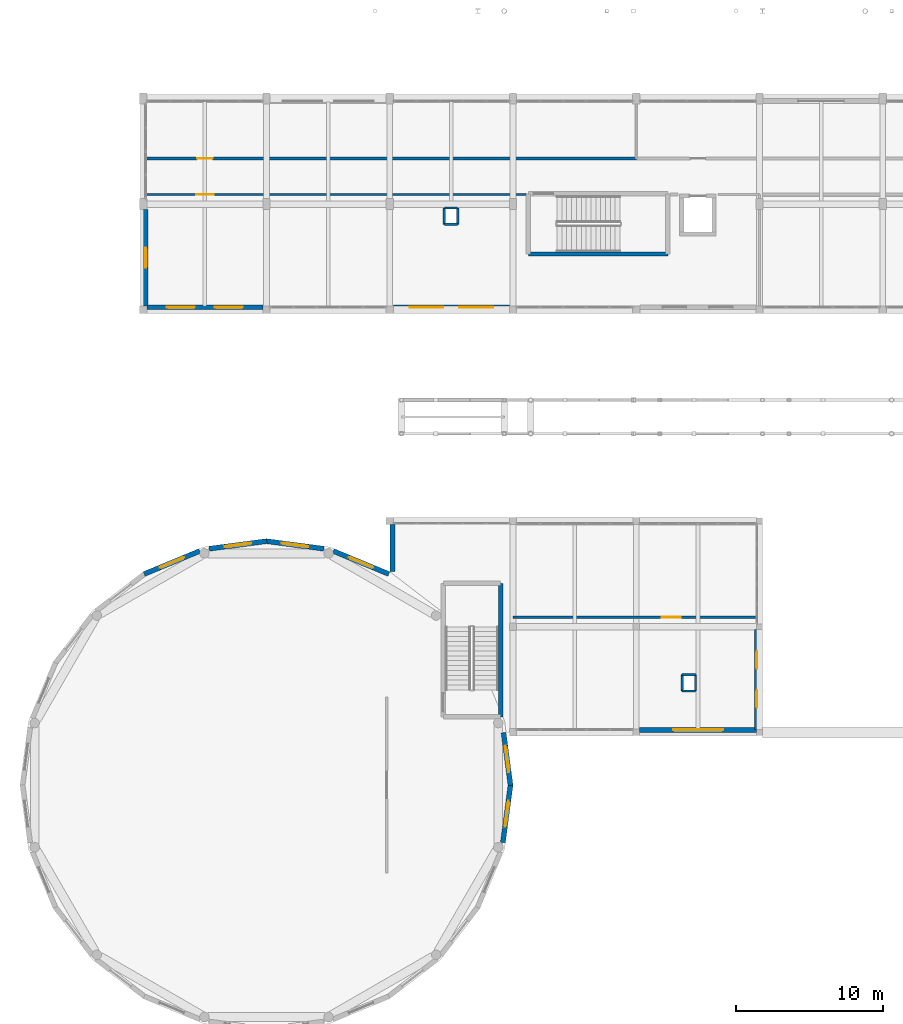
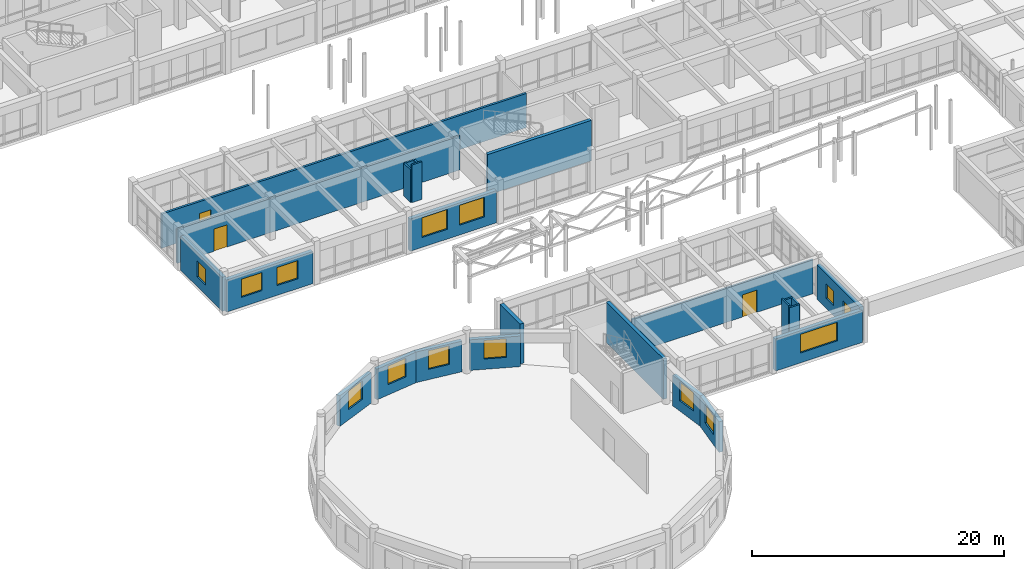
# One storey, part 125 of 147: 25 walls, 14 windows, 3 doors, 17 openings.
"""IFC4 building model written with IfcOpenShell, lengths in metres."""

import ifcopenshell
import ifcopenshell.guid

model = None  # the IFC model being written
_history = None  # IfcOwnerHistory: only IFC2X3 demands one
_inside = {}  # id of a spatial element -> (the spatial element, [elements in it])
_under = {}  # id of a project, library or spatial element -> (it, [spatial elements below it])
_declared = {}  # id of a project -> (the project, [libraries it declares])
_typed = {}  # id of a type object -> (the type object, [elements of that type])
_made_of = {}  # id of a material, layer set ... -> (it, [elements and type objects made of it])


def new_model(schema):
    """Start an empty IFC model of exactly this schema.

    Asked for "IFC4X3", IfcOpenShell would pick the latest addendum, in which some entities
    have other attributes; the version numbers below select the first issue.
    IFC2X3 requires an IfcOwnerHistory on every rooted entity: one is made here for all.
    """
    global model, _history
    if schema == "IFC4X3":
        model = ifcopenshell.file(schema_version=(4, 3, 0, 0))
    else:
        model = ifcopenshell.file(schema=schema)
    _inside.clear()
    _under.clear()
    _declared.clear()
    _typed.clear()
    _made_of.clear()
    _history = None
    if model.schema == "IFC2X3":
        org = make("IfcOrganization", Name="unknown")
        user = make(
            "IfcPersonAndOrganization",
            ThePerson=make("IfcPerson", FamilyName="unknown"),
            TheOrganization=org,
        )
        app = make(
            "IfcApplication",
            ApplicationDeveloper=org,
            Version="unknown",
            ApplicationFullName="unknown",
            ApplicationIdentifier="unknown",
        )
        _history = make(
            "IfcOwnerHistory",
            OwningUser=user,
            OwningApplication=app,
            ChangeAction="ADDED",
            CreationDate=0,
        )
    return model


def make(cls, **values):
    """One entity of the class cls with the attributes given. An attribute that is None is left unset."""
    return model.create_entity(
        cls, **{name: value for name, value in values.items() if value is not None}
    )


def rooted(cls, **values):
    """An entity with a GlobalId (a new one), such as an element, a storey or a relation."""
    return make(cls, GlobalId=ifcopenshell.guid.new(), OwnerHistory=_history, **values)


def si_unit(unit_type, name, prefix=None):
    """IfcSIUnit, for example si_unit("LENGTHUNIT", "METRE", prefix="MILLI")."""
    return make("IfcSIUnit", UnitType=unit_type, Prefix=prefix, Name=name)


def assignment(units):
    """IfcUnitAssignment: the units of a project."""
    return None if units is None else make("IfcUnitAssignment", Units=units)


def point(xyz):
    """IfcCartesianPoint."""
    return None if xyz is None else make("IfcCartesianPoint", Coordinates=xyz)


def direction(xyz):
    """IfcDirection."""
    return None if xyz is None else make("IfcDirection", DirectionRatios=xyz)


def frame(location, z_axis=None, x_axis=None):
    """IfcAxis2Placement3D, a coordinate frame: its origin and axes. An axis left out is left unset."""
    return make(
        "IfcAxis2Placement3D",
        Location=point(location),
        Axis=direction(z_axis),
        RefDirection=direction(x_axis),
    )


def frame_2d(location, x_axis=None):
    """IfcAxis2Placement2D, a coordinate frame in the plane: its origin and x axis."""
    return make(
        "IfcAxis2Placement2D", Location=point(location), RefDirection=direction(x_axis)
    )


def origin():
    """The frame at (0, 0, 0) with its axes left unset."""
    return frame((0.0, 0.0, 0.0))


def place(relative_to, where):
    """IfcLocalPlacement: puts the frame where relative to a parent placement (None: the world)."""
    return make(
        "IfcLocalPlacement", PlacementRelTo=relative_to, RelativePlacement=where
    )


def context(
    kind, dimensions, precision=None, world=None, true_north=None, identifier=None
):
    """IfcGeometricRepresentationContext, for example the 3D "Model" context."""
    return make(
        "IfcGeometricRepresentationContext",
        ContextIdentifier=identifier,
        ContextType=kind,
        CoordinateSpaceDimension=dimensions,
        Precision=precision,
        WorldCoordinateSystem=world,
        TrueNorth=true_north,
    )


def subcontext(parent, identifier, kind, view, scale=None):
    """IfcGeometricRepresentationSubContext, for example "Body" below "Model"."""
    return make(
        "IfcGeometricRepresentationSubContext",
        ContextIdentifier=identifier,
        ContextType=kind,
        ParentContext=parent,
        TargetScale=scale,
        TargetView=view,
    )


def project(units=None, contexts=None):
    """IfcProject with its units and contexts."""
    return rooted(
        "IfcProject",
        Name="project",
        RepresentationContexts=contexts,
        UnitsInContext=assignment(units),
    )


def spatial(cls, under=None, at=None, **own):
    """A site, building, storey or space (cls), placed at a placement, below another one or the project."""
    s = rooted(cls, ObjectPlacement=at, **own)
    if under is not None:
        _under.setdefault(under.id(), (under, []))[1].append(s)
    return s


def profile(cls, at=None, kind="AREA", **sizes):
    """A parametric profile (cls). Its sizes go by their IFC names, for example OverallWidth=200.0."""
    return make(cls, ProfileType=kind, Position=at, **sizes)


def rectangle(**sizes):
    """IfcRectangleProfileDef."""
    return profile("IfcRectangleProfileDef", **sizes)


def extrude(swept, where, along, depth):
    """IfcExtrudedAreaSolid: the profile swept, set in the frame where, extruded along a direction by depth."""
    return make(
        "IfcExtrudedAreaSolid",
        SweptArea=swept,
        Position=where,
        ExtrudedDirection=direction(along),
        Depth=depth,
    )


def shape(context_of_items, identifier, shape_type, items):
    """IfcShapeRepresentation: the items that make up one representation, for example the "Body"."""
    return make(
        "IfcShapeRepresentation",
        ContextOfItems=context_of_items,
        RepresentationIdentifier=identifier,
        RepresentationType=shape_type,
        Items=items,
    )


def material(Name=None, Category=None):
    """IfcMaterial."""
    return make("IfcMaterial", Name=Name, Category=Category)


def layer(
    of_material, thickness, ventilated=None, Name=None, Category=None, Priority=None
):
    """IfcMaterialLayer: one layer of a wall or slab, of a material (None: an air gap)."""
    return make(
        "IfcMaterialLayer",
        Material=of_material,
        LayerThickness=thickness,
        IsVentilated=ventilated,
        Name=Name,
        Category=Category,
        Priority=Priority,
    )


def layer_set(layers, Name=None):
    """IfcMaterialLayerSet."""
    return make("IfcMaterialLayerSet", MaterialLayers=layers, LayerSetName=Name)


def made_of(thing, what):
    """Note that an element or type object is made of a material, layer set ...; save() writes the relation."""
    if what is not None:
        _made_of.setdefault(what.id(), (what, []))[1].append(thing)
    return thing


def type_object(cls, material=None, **own):
    """A type object (cls), such as IfcWallType, which elements share."""
    return made_of(rooted(cls, **own), material)


def element(
    cls,
    number,
    at=None,
    inside=None,
    cuts=None,
    type_object=None,
    material=None,
    context=None,
    identifier="Body",
    shape_type=None,
    held_by="IfcProductDefinitionShape",
    body=None,
    shapes=None,
    **own,
):
    """One element of the class cls, such as IfcWall. Its Tag is "e" and its number.

    at: its placement. inside: the storey or other place that contains it. cuts: it is an
    opening in that element (IfcRelVoidsElement). A single representation is given by context,
    identifier, shape_type and body (its items); several are given by shapes. held_by: the class
    of the entity that holds the representations. save() writes the other relations.
    """
    e = rooted(cls, Tag="e%d" % number, ObjectPlacement=at, **own)
    if body is not None:
        shapes = [shape(context, identifier, shape_type, body)]
    if shapes is not None:
        e.Representation = make(held_by, Representations=shapes)
    if inside is not None:
        _inside.setdefault(inside.id(), (inside, []))[1].append(e)
    if cuts is not None:
        rooted(
            "IfcRelVoidsElement", RelatingBuildingElement=cuts, RelatedOpeningElement=e
        )
    if type_object is not None:
        _typed.setdefault(type_object.id(), (type_object, []))[1].append(e)
    return made_of(e, material)


def fill(opening, filler):
    """IfcRelFillsElement: the door or window that sits in an opening."""
    return rooted(
        "IfcRelFillsElement",
        RelatingOpeningElement=opening,
        RelatedBuildingElement=filler,
    )


def aggregate(whole, parts):
    """IfcRelAggregates: a whole, such as a stair, and the parts it consists of."""
    return rooted("IfcRelAggregates", RelatingObject=whole, RelatedObjects=parts)


def save(model, path):
    """Write the relations noted so far, then the file.

    IfcRelAggregates (storeys below a building ...), IfcRelContainedInSpatialStructure (elements
    in a storey), IfcRelDefinesByType, IfcRelAssociatesMaterial and IfcRelDeclares: one each for
    every whole, place, type object, material and project.
    """
    for whole, parts in _under.values():
        aggregate(whole, parts)
    for where, things in _inside.values():
        rooted(
            "IfcRelContainedInSpatialStructure",
            RelatedElements=things,
            RelatingStructure=where,
        )
    for kind, things in _typed.values():
        rooted("IfcRelDefinesByType", RelatedObjects=things, RelatingType=kind)
    for what, things in _made_of.values():
        rooted("IfcRelAssociatesMaterial", RelatedObjects=things, RelatingMaterial=what)
    for by, libraries in _declared.values():
        rooted("IfcRelDeclares", RelatingContext=by, RelatedDefinitions=libraries)
    model.write(path)


model = new_model("IFC4")

# Units and contexts
model_context = context("Model", 3, precision=1e-05, world=origin(), true_north=direction((0.0, 1.0)))
body_context = subcontext(model_context, "Body", "Model", "MODEL_VIEW")
ifc_project = project(units=[si_unit("LENGTHUNIT", "METRE"), si_unit("AREAUNIT", "SQUARE_METRE"), si_unit("VOLUMEUNIT", "CUBIC_METRE"), si_unit("PLANEANGLEUNIT", "RADIAN"), si_unit("MASSUNIT", "GRAM", prefix="KILO")], contexts=[model_context])

# Site, building, storey
site_placement = place(None, origin())
site = spatial("IfcSite", under=ifc_project, at=site_placement, CompositionType="ELEMENT")
building_placement = place(site_placement, origin())
building = spatial("IfcBuilding", under=site, at=building_placement, Name="Malvenik Polytechnic", CompositionType="ELEMENT")
storey_placement = place(building_placement, frame((0.0, 0.0, 5.10009765625)))
storey = spatial("IfcBuildingStorey", under=building, at=storey_placement, Name="L01", CompositionType="ELEMENT", Elevation=5.10009765625)

# Walls
ifc_material_1 = material(Name="Concrete C35/45", Category="concrete")
ifc_layer_1 = layer(ifc_material_1, 0.300048828125)
ifc_layer_set_1 = layer_set([ifc_layer_1], Name="Concrete C35/45")
wall_type_1 = type_object("IfcWallType", Name="ARC-CW-S300", PredefinedType="SHEAR", material=ifc_layer_set_1)
wall_1_placement = place(storey_placement, frame((44.14990234375, 54.199951171875, 0.0), z_axis=(0.0, 0.0, 1.0), x_axis=(-1.0, 0.0, 0.0)))
element("IfcWall", 1, at=wall_1_placement, inside=storey, type_object=wall_type_1, Name="Stair Core Shear Wall ST-06 L01 LEFT", PredefinedType="SHEAR", context=body_context, shape_type="SweptSolid", body=[
    extrude(rectangle(XDim=9.5, YDim=0.300048828125, at=frame_2d((4.75, 0.0))), origin(), (0.0, 0.0, 1.0), 3.919921875),
])
wall_2_placement = place(storey_placement, frame((32.75, 31.75, 0.0), z_axis=(0.0, 0.0, 1.0), x_axis=(0.0, -1.0, 0.0)))
element("IfcWall", 2, at=wall_2_placement, inside=storey, type_object=wall_type_1, Name="Stair Core Shear Wall ST-09 L01 LEFT", PredefinedType="SHEAR", context=body_context, shape_type="SweptSolid", body=[
    extrude(rectangle(XDim=9.10009765625, YDim=0.300048828125, at=frame_2d((4.550048828125, 0.0))), origin(), (0.0, 0.0, 1.0), 3.919921875),
])

# Wall, openings, windows
ifc_material_2 = material(Name="Concrete C30/37", Category="concrete")
ifc_layer_2 = layer(ifc_material_2, 0.340087890625)
ifc_layer_set_2 = layer_set([ifc_layer_2], Name="Concrete C30/37")
wall_type_2 = type_object("IfcWallType", Name="ARC-EW-340", PredefinedType="SOLIDWALL", material=ifc_layer_set_2)
wall_3_placement = place(storey_placement, frame((33.35205078125, 50.570068359375, 0.0), z_axis=(0.0, 0.0, 1.0), x_axis=(-1.0, 0.0, 0.0)))
wall_3 = element("IfcWall", 3, at=wall_3_placement, inside=storey, type_object=wall_type_2, Name="External Facade Wall EW-02 L01 #240", PredefinedType="SOLIDWALL", context=body_context, shape_type="SweptSolid", body=[
    extrude(rectangle(XDim=7.904052734375, YDim=0.340087890625, at=frame_2d((3.9521484375, 0.0))), origin(), (0.0, 0.0, 1.0), 3.10986328125),
])
opening_1_placement = place(wall_3_placement, frame((1.101318359375, 0.0, 0.949951171875)))
opening_1 = element("IfcOpeningElement", 4, at=opening_1_placement, cuts=wall_3, Name="Opening W-22", PredefinedType="OPENING", context=body_context, shape_type="SweptSolid", body=[
    extrude(rectangle(XDim=2.300048828125, YDim=1.909912109375, at=frame_2d((1.14990234375, 0.955078125))), frame((0.0, 0.18017578125, 0.0), z_axis=(0.0, -1.0, 0.0), x_axis=(1.0, 0.0, 0.0)), (0.0, 0.0, 1.0), 0.360107421875),
])
opening_2_placement = place(wall_3_placement, frame((4.502685546875, 0.0, 0.949951171875)))
opening_2 = element("IfcOpeningElement", 5, at=opening_2_placement, cuts=wall_3, Name="Opening W-22", PredefinedType="OPENING", context=body_context, shape_type="SweptSolid", body=[
    extrude(rectangle(XDim=2.300048828125, YDim=1.909912109375, at=frame_2d((1.14990234375, 0.955078125))), frame((0.0, 0.18017578125, 0.0), z_axis=(0.0, -1.0, 0.0), x_axis=(1.0, 0.0, 0.0)), (0.0, 0.0, 1.0), 0.360107421875),
])
ifc_material_3 = material(Name="Thermally broken aluminium frame with low-E double glazing", Category="aluminium")
window_type_1 = type_object("IfcWindowType", Name="ARC-WIN-W-22", PartitioningType="SINGLE_PANEL", PredefinedType="WINDOW", material=ifc_material_3)
window_1_placement = place(opening_1_placement, origin())
window_1 = element("IfcWindow", 6, at=window_1_placement, inside=storey, type_object=window_type_1, Name="Punched Window W-22 L01 #203", OverallHeight=1.909912109375, OverallWidth=2.300048828125, PartitioningType="SINGLE_PANEL", PredefinedType="WINDOW", context=body_context, shape_type="SweptSolid", body=[
    extrude(rectangle(XDim=2.300048828125, YDim=1.909912109375, at=frame_2d((1.14990234375, 0.955078125))), frame((0.0, 0.030029296875, 0.0), z_axis=(0.0, -1.0, 0.0), x_axis=(1.0, 0.0, 0.0)), (0.0, 0.0, 1.0), 0.06005859375),
])
fill(opening_1, window_1)
window_2_placement = place(opening_2_placement, origin())
window_2 = element("IfcWindow", 7, at=window_2_placement, inside=storey, type_object=window_type_1, Name="Punched Window W-22 L01 #204", OverallHeight=1.909912109375, OverallWidth=2.300048828125, PartitioningType="SINGLE_PANEL", PredefinedType="WINDOW", context=body_context, shape_type="SweptSolid", body=[
    extrude(rectangle(XDim=2.300048828125, YDim=1.909912109375, at=frame_2d((1.14990234375, 0.955078125))), frame((0.0, 0.030029296875, 0.0), z_axis=(0.0, -1.0, 0.0), x_axis=(1.0, 0.0, 0.0)), (0.0, 0.0, 1.0), 0.06005859375),
])
fill(opening_2, window_2)

wall_4_placement = place(storey_placement, frame((16.552001953125, 50.570068359375, 0.0), z_axis=(0.0, 0.0, 1.0), x_axis=(-1.0, 0.0, 0.0)))
wall_4 = element("IfcWall", 8, at=wall_4_placement, inside=storey, type_object=wall_type_2, Name="External Facade Wall EW-02 L01 #241", PredefinedType="SOLIDWALL", context=body_context, shape_type="SweptSolid", body=[
    extrude(rectangle(XDim=7.904052734375, YDim=0.340087890625, at=frame_2d((3.9521484375, 0.0))), origin(), (0.0, 0.0, 1.0), 3.10986328125),
])
opening_3_placement = place(wall_4_placement, frame((1.367919921875, 0.0, 0.949951171875)))
opening_3 = element("IfcOpeningElement", 9, at=opening_3_placement, cuts=wall_4, Name="Opening W-24", PredefinedType="OPENING", context=body_context, shape_type="SweptSolid", body=[
    extrude(rectangle(XDim=1.89990234375, YDim=1.75, at=frame_2d((0.949951171875, 0.875))), frame((0.0, 0.18017578125, 0.0), z_axis=(0.0, -1.0, 0.0), x_axis=(1.0, 0.0, 0.0)), (0.0, 0.0, 1.0), 0.360107421875),
])
opening_4_placement = place(wall_4_placement, frame((4.635986328125, 0.0, 0.949951171875)))
opening_4 = element("IfcOpeningElement", 10, at=opening_4_placement, cuts=wall_4, Name="Opening W-24", PredefinedType="OPENING", context=body_context, shape_type="SweptSolid", body=[
    extrude(rectangle(XDim=1.89990234375, YDim=1.75, at=frame_2d((0.949951171875, 0.875))), frame((0.0, 0.18017578125, 0.0), z_axis=(0.0, -1.0, 0.0), x_axis=(1.0, 0.0, 0.0)), (0.0, 0.0, 1.0), 0.360107421875),
])
window_type_2 = type_object("IfcWindowType", Name="ARC-WIN-W-24", PartitioningType="SINGLE_PANEL", PredefinedType="WINDOW", material=ifc_material_3)
window_3_placement = place(opening_3_placement, origin())
window_3 = element("IfcWindow", 11, at=window_3_placement, inside=storey, type_object=window_type_2, Name="Punched Window W-24 L01 #205", OverallHeight=1.75, OverallWidth=1.89990234375, PartitioningType="SINGLE_PANEL", PredefinedType="WINDOW", context=body_context, shape_type="SweptSolid", body=[
    extrude(rectangle(XDim=1.89990234375, YDim=1.75, at=frame_2d((0.949951171875, 0.875))), frame((0.0, 0.030029296875, 0.0), z_axis=(0.0, -1.0, 0.0), x_axis=(1.0, 0.0, 0.0)), (0.0, 0.0, 1.0), 0.06005859375),
])
fill(opening_3, window_3)
window_4_placement = place(opening_4_placement, origin())
window_4 = element("IfcWindow", 12, at=window_4_placement, inside=storey, type_object=window_type_2, Name="Punched Window W-24 L01 #206", OverallHeight=1.75, OverallWidth=1.89990234375, PartitioningType="SINGLE_PANEL", PredefinedType="WINDOW", context=body_context, shape_type="SweptSolid", body=[
    extrude(rectangle(XDim=1.89990234375, YDim=1.75, at=frame_2d((0.949951171875, 0.875))), frame((0.0, 0.030029296875, 0.0), z_axis=(0.0, -1.0, 0.0), x_axis=(1.0, 0.0, 0.0)), (0.0, 0.0, 1.0), 0.06005859375),
])
fill(opening_4, window_4)

# Wall, opening, window
wall_5_placement = place(storey_placement, frame((8.570068359375, 50.64794921875, 0.0), z_axis=(0.0, 0.0, 1.0), x_axis=(0.0, 1.0, 0.0)))
wall_5 = element("IfcWall", 13, at=wall_5_placement, inside=storey, type_object=wall_type_2, Name="External Facade Wall EW-02 L01 #242", PredefinedType="SOLIDWALL", context=body_context, shape_type="SweptSolid", body=[
    extrude(rectangle(XDim=6.5791015625, YDim=0.340087890625, at=frame_2d((3.28955078125, 0.0))), origin(), (0.0, 0.0, 1.0), 3.309814453125),
])
opening_5_placement = place(wall_5_placement, frame((2.614501953125, 0.0, 0.949951171875)))
opening_5 = element("IfcOpeningElement", 14, at=opening_5_placement, cuts=wall_5, Name="Opening W-26", PredefinedType="OPENING", context=body_context, shape_type="SweptSolid", body=[
    extrude(rectangle(XDim=1.35009765625, YDim=1.550048828125, at=frame_2d((0.675048828125, 0.77490234375))), frame((0.0, 0.18017578125, 0.0), z_axis=(0.0, -1.0, 0.0), x_axis=(1.0, 0.0, 0.0)), (0.0, 0.0, 1.0), 0.360107421875),
])
window_type_3 = type_object("IfcWindowType", Name="ARC-WIN-W-26", PartitioningType="SINGLE_PANEL", PredefinedType="WINDOW", material=ifc_material_3)
window_5_placement = place(opening_5_placement, origin())
window_5 = element("IfcWindow", 15, at=window_5_placement, inside=storey, type_object=window_type_3, Name="Punched Window W-26 L01 #207", OverallHeight=1.550048828125, OverallWidth=1.35009765625, PartitioningType="SINGLE_PANEL", PredefinedType="WINDOW", context=body_context, shape_type="SweptSolid", body=[
    extrude(rectangle(XDim=1.35009765625, YDim=1.550048828125, at=frame_2d((0.675048828125, 0.77490234375))), frame((0.0, 0.030029296875, 0.0), z_axis=(0.0, -1.0, 0.0), x_axis=(1.0, 0.0, 0.0)), (0.0, 0.0, 1.0), 0.06005859375),
])
fill(opening_5, window_5)

wall_6_placement = place(storey_placement, frame((8.465087890625, 32.39208984375, 0.0), z_axis=(0.0, 0.0, 1.0), x_axis=(0.923864101576, 0.382720683815, 0.0)))
wall_6 = element("IfcWall", 16, at=wall_6_placement, inside=storey, type_object=wall_type_2, Name="External Facade Wall EW-02 L01 #259", PredefinedType="SOLIDWALL", context=body_context, shape_type="SweptSolid", body=[
    extrude(rectangle(XDim=4.091552734375, YDim=0.340087890625, at=frame_2d((2.0458984375, 0.0))), origin(), (0.0, 0.0, 1.0), 2.9599609375),
])
opening_6_placement = place(wall_6_placement, frame((1.145751953125, 0.0, 1.0)))
opening_6 = element("IfcOpeningElement", 17, at=opening_6_placement, cuts=wall_6, Name="Opening W-OC1", PredefinedType="OPENING", context=body_context, shape_type="SweptSolid", body=[
    extrude(rectangle(XDim=1.800048828125, YDim=1.800048828125, at=frame_2d((0.89990234375, 0.89990234375))), frame((0.0, 0.18017578125, 0.0), z_axis=(0.0, -1.0, 0.0), x_axis=(1.0, 0.0, 0.0)), (0.0, 0.0, 1.0), 0.360107421875),
])
window_type_4 = type_object("IfcWindowType", Name="ARC-WIN-W-OC1", PartitioningType="SINGLE_PANEL", PredefinedType="WINDOW", material=ifc_material_3)
window_6_placement = place(opening_6_placement, origin())
window_6 = element("IfcWindow", 18, at=window_6_placement, inside=storey, type_object=window_type_4, Name="Rotunda Ocular Window W-OC1 L01 #225", OverallHeight=1.800048828125, OverallWidth=1.800048828125, PartitioningType="SINGLE_PANEL", PredefinedType="WINDOW", context=body_context, shape_type="SweptSolid", body=[
    extrude(rectangle(XDim=1.800048828125, YDim=1.800048828125, at=frame_2d((0.89990234375, 0.89990234375))), frame((0.0, 0.030029296875, 0.0), z_axis=(0.0, -1.0, 0.0), x_axis=(1.0, 0.0, 0.0)), (0.0, 0.0, 1.0), 0.06005859375),
])
fill(opening_6, window_6)

wall_7_placement = place(storey_placement, frame((12.89111328125, 34.114013671875, 0.0), z_axis=(0.0, 0.0, 1.0), x_axis=(0.991443813666, 0.130534150104, 0.0)))
wall_7 = element("IfcWall", 19, at=wall_7_placement, inside=storey, type_object=wall_type_2, Name="External Facade Wall EW-02 L01 #260", PredefinedType="SOLIDWALL", context=body_context, shape_type="SweptSolid", body=[
    extrude(rectangle(XDim=3.965087890625, YDim=0.340087890625, at=frame_2d((1.982421875, 0.0))), origin(), (0.0, 0.0, 1.0), 2.9599609375),
])
opening_7_placement = place(wall_7_placement, frame((1.08251953125, 0.0, 1.0)))
opening_7 = element("IfcOpeningElement", 20, at=opening_7_placement, cuts=wall_7, Name="Opening W-OC1", PredefinedType="OPENING", context=body_context, shape_type="SweptSolid", body=[
    extrude(rectangle(XDim=1.800048828125, YDim=1.800048828125, at=frame_2d((0.89990234375, 0.89990234375))), frame((0.0, 0.18017578125, 0.0), z_axis=(0.0, -1.0, 0.0), x_axis=(1.0, 0.0, 0.0)), (0.0, 0.0, 1.0), 0.360107421875),
])
window_7_placement = place(opening_7_placement, origin())
window_7 = element("IfcWindow", 21, at=window_7_placement, inside=storey, type_object=window_type_4, Name="Rotunda Ocular Window W-OC1 L01 #226", OverallHeight=1.800048828125, OverallWidth=1.800048828125, PartitioningType="SINGLE_PANEL", PredefinedType="WINDOW", context=body_context, shape_type="SweptSolid", body=[
    extrude(rectangle(XDim=1.800048828125, YDim=1.800048828125, at=frame_2d((0.89990234375, 0.89990234375))), frame((0.0, 0.030029296875, 0.0), z_axis=(0.0, -1.0, 0.0), x_axis=(1.0, 0.0, 0.0)), (0.0, 0.0, 1.0), 0.06005859375),
])
fill(opening_7, window_7)

wall_8_placement = place(storey_placement, frame((16.77783203125, 34.631591796875, 0.0), z_axis=(0.0, 0.0, 1.0), x_axis=(0.991443813666, -0.130534150104, 0.0)))
wall_8 = element("IfcWall", 22, at=wall_8_placement, inside=storey, type_object=wall_type_2, Name="External Facade Wall EW-02 L01 #261", PredefinedType="SOLIDWALL", context=body_context, shape_type="SweptSolid", body=[
    extrude(rectangle(XDim=3.965087890625, YDim=0.340087890625, at=frame_2d((1.982421875, 0.0))), origin(), (0.0, 0.0, 1.0), 2.9599609375),
])
opening_8_placement = place(wall_8_placement, frame((1.08251953125, 0.0, 1.0)))
opening_8 = element("IfcOpeningElement", 23, at=opening_8_placement, cuts=wall_8, Name="Opening W-OC1", PredefinedType="OPENING", context=body_context, shape_type="SweptSolid", body=[
    extrude(rectangle(XDim=1.800048828125, YDim=1.800048828125, at=frame_2d((0.89990234375, 0.89990234375))), frame((0.0, 0.18017578125, 0.0), z_axis=(0.0, -1.0, 0.0), x_axis=(1.0, 0.0, 0.0)), (0.0, 0.0, 1.0), 0.360107421875),
])
window_8_placement = place(opening_8_placement, origin())
window_8 = element("IfcWindow", 24, at=window_8_placement, inside=storey, type_object=window_type_4, Name="Rotunda Ocular Window W-OC1 L01 #227", OverallHeight=1.800048828125, OverallWidth=1.800048828125, PartitioningType="SINGLE_PANEL", PredefinedType="WINDOW", context=body_context, shape_type="SweptSolid", body=[
    extrude(rectangle(XDim=1.800048828125, YDim=1.800048828125, at=frame_2d((0.89990234375, 0.89990234375))), frame((0.0, 0.030029296875, 0.0), z_axis=(0.0, -1.0, 0.0), x_axis=(1.0, 0.0, 0.0)), (0.0, 0.0, 1.0), 0.06005859375),
])
fill(opening_8, window_8)

wall_9_placement = place(storey_placement, frame((21.35498046875, 33.9580078125, 0.0), z_axis=(0.0, 0.0, 1.0), x_axis=(0.923864101576, -0.382720683815, 0.0)))
wall_9 = element("IfcWall", 25, at=wall_9_placement, inside=storey, type_object=wall_type_2, Name="External Facade Wall EW-02 L01 #262", PredefinedType="SOLIDWALL", context=body_context, shape_type="SweptSolid", body=[
    extrude(rectangle(XDim=4.091552734375, YDim=0.340087890625, at=frame_2d((2.0458984375, 0.0))), origin(), (0.0, 0.0, 1.0), 2.9599609375),
])
opening_9_placement = place(wall_9_placement, frame((1.145751953125, 0.0, 1.0)))
opening_9 = element("IfcOpeningElement", 26, at=opening_9_placement, cuts=wall_9, Name="Opening W-OC1", PredefinedType="OPENING", context=body_context, shape_type="SweptSolid", body=[
    extrude(rectangle(XDim=1.800048828125, YDim=1.800048828125, at=frame_2d((0.89990234375, 0.89990234375))), frame((0.0, 0.18017578125, 0.0), z_axis=(0.0, -1.0, 0.0), x_axis=(1.0, 0.0, 0.0)), (0.0, 0.0, 1.0), 0.360107421875),
])
window_9_placement = place(opening_9_placement, origin())
window_9 = element("IfcWindow", 27, at=window_9_placement, inside=storey, type_object=window_type_4, Name="Rotunda Ocular Window W-OC1 L01 #228", OverallHeight=1.800048828125, OverallWidth=1.800048828125, PartitioningType="SINGLE_PANEL", PredefinedType="WINDOW", context=body_context, shape_type="SweptSolid", body=[
    extrude(rectangle(XDim=1.800048828125, YDim=1.800048828125, at=frame_2d((0.89990234375, 0.89990234375))), frame((0.0, 0.030029296875, 0.0), z_axis=(0.0, -1.0, 0.0), x_axis=(1.0, 0.0, 0.0)), (0.0, 0.0, 1.0), 0.06005859375),
])
fill(opening_9, window_9)

# Wall
wall_10_placement = place(storey_placement, frame((25.3701171875, 32.54931640625, 0.0), z_axis=(0.0, 0.0, 1.0), x_axis=(0.0, 1.0, 0.0)))
element("IfcWall", 28, at=wall_10_placement, inside=storey, type_object=wall_type_2, Name="External Facade Wall EW-02 L01 #263", PredefinedType="SOLIDWALL", context=body_context, shape_type="SweptSolid", body=[
    extrude(rectangle(XDim=3.20263671875, YDim=0.340087890625, at=frame_2d((1.601318359375, 0.0))), origin(), (0.0, 0.0, 1.0), 3.85986328125),
])

# Wall, openings, windows
wall_11_placement = place(storey_placement, frame((50.22998046875, 28.60205078125, 0.0), z_axis=(0.0, 0.0, 1.0), x_axis=(0.0, -1.0, 0.0)))
wall_11 = element("IfcWall", 29, at=wall_11_placement, inside=storey, type_object=wall_type_2, Name="External Facade Wall EW-02 L01 #264", PredefinedType="SOLIDWALL", context=body_context, shape_type="SweptSolid", body=[
    extrude(rectangle(XDim=6.803955078125, YDim=0.340087890625, at=frame_2d((3.40185546875, 0.0))), origin(), (0.0, 0.0, 1.0), 3.309814453125),
])
opening_10_placement = place(wall_11_placement, frame((1.468017578125, 0.0, 0.949951171875)))
opening_10 = element("IfcOpeningElement", 30, at=opening_10_placement, cuts=wall_11, Name="Opening W-16", PredefinedType="OPENING", context=body_context, shape_type="SweptSolid", body=[
    extrude(rectangle(XDim=1.199951171875, YDim=1.39990234375, at=frame_2d((0.60009765625, 0.699951171875))), frame((0.0, 0.18017578125, 0.0), z_axis=(0.0, -1.0, 0.0), x_axis=(1.0, 0.0, 0.0)), (0.0, 0.0, 1.0), 0.360107421875),
])
opening_11_placement = place(wall_11_placement, frame((4.135986328125, 0.0, 0.949951171875)))
opening_11 = element("IfcOpeningElement", 31, at=opening_11_placement, cuts=wall_11, Name="Opening W-16", PredefinedType="OPENING", context=body_context, shape_type="SweptSolid", body=[
    extrude(rectangle(XDim=1.199951171875, YDim=1.39990234375, at=frame_2d((0.60009765625, 0.699951171875))), frame((0.0, 0.18017578125, 0.0), z_axis=(0.0, -1.0, 0.0), x_axis=(1.0, 0.0, 0.0)), (0.0, 0.0, 1.0), 0.360107421875),
])
window_type_5 = type_object("IfcWindowType", Name="ARC-WIN-W-16", PartitioningType="SINGLE_PANEL", PredefinedType="WINDOW", material=ifc_material_3)
window_10_placement = place(opening_10_placement, origin())
window_10 = element("IfcWindow", 32, at=window_10_placement, inside=storey, type_object=window_type_5, Name="Punched Window W-16 L01 #229", OverallHeight=1.39990234375, OverallWidth=1.199951171875, PartitioningType="SINGLE_PANEL", PredefinedType="WINDOW", context=body_context, shape_type="SweptSolid", body=[
    extrude(rectangle(XDim=1.199951171875, YDim=1.39990234375, at=frame_2d((0.60009765625, 0.699951171875))), frame((0.0, 0.030029296875, 0.0), z_axis=(0.0, -1.0, 0.0), x_axis=(1.0, 0.0, 0.0)), (0.0, 0.0, 1.0), 0.06005859375),
])
fill(opening_10, window_10)
window_11_placement = place(opening_11_placement, origin())
window_11 = element("IfcWindow", 33, at=window_11_placement, inside=storey, type_object=window_type_5, Name="Punched Window W-16 L01 #230", OverallHeight=1.39990234375, OverallWidth=1.199951171875, PartitioningType="SINGLE_PANEL", PredefinedType="WINDOW", context=body_context, shape_type="SweptSolid", body=[
    extrude(rectangle(XDim=1.199951171875, YDim=1.39990234375, at=frame_2d((0.60009765625, 0.699951171875))), frame((0.0, 0.030029296875, 0.0), z_axis=(0.0, -1.0, 0.0), x_axis=(1.0, 0.0, 0.0)), (0.0, 0.0, 1.0), 0.06005859375),
])
fill(opening_11, window_11)

# Wall, opening, window
wall_12_placement = place(storey_placement, frame((50.201904296875, 21.77001953125, 0.0), z_axis=(0.0, 0.0, 1.0), x_axis=(-1.0, 0.0, 0.0)))
wall_12 = element("IfcWall", 34, at=wall_12_placement, inside=storey, type_object=wall_type_2, Name="External Facade Wall EW-02 L01 #265", PredefinedType="SOLIDWALL", context=body_context, shape_type="SweptSolid", body=[
    extrude(rectangle(XDim=7.97900390625, YDim=0.340087890625, at=frame_2d((3.989501953125, 0.0))), origin(), (0.0, 0.0, 1.0), 3.10986328125),
])
opening_12_placement = place(wall_12_placement, frame((2.28955078125, 0.0, 0.949951171875)))
opening_12 = element("IfcOpeningElement", 35, at=opening_12_placement, cuts=wall_12, Name="Opening W-18", PredefinedType="OPENING", context=body_context, shape_type="SweptSolid", body=[
    extrude(rectangle(XDim=3.39990234375, YDim=1.800048828125, at=frame_2d((1.699951171875, 0.89990234375))), frame((0.0, 0.18017578125, 0.0), z_axis=(0.0, -1.0, 0.0), x_axis=(1.0, 0.0, 0.0)), (0.0, 0.0, 1.0), 0.360107421875),
])
window_type_6 = type_object("IfcWindowType", Name="ARC-WIN-W-18", PartitioningType="SINGLE_PANEL", PredefinedType="WINDOW", material=ifc_material_3)
window_12_placement = place(opening_12_placement, origin())
window_12 = element("IfcWindow", 36, at=window_12_placement, inside=storey, type_object=window_type_6, Name="Punched Window W-18 L01 #231", OverallHeight=1.800048828125, OverallWidth=3.39990234375, PartitioningType="SINGLE_PANEL", PredefinedType="WINDOW", context=body_context, shape_type="SweptSolid", body=[
    extrude(rectangle(XDim=3.39990234375, YDim=1.800048828125, at=frame_2d((1.699951171875, 0.89990234375))), frame((0.0, 0.030029296875, 0.0), z_axis=(0.0, -1.0, 0.0), x_axis=(1.0, 0.0, 0.0)), (0.0, 0.0, 1.0), 0.06005859375),
])
fill(opening_12, window_12)

wall_13_placement = place(storey_placement, frame((32.95751953125, 21.577880859375, 0.0), z_axis=(0.0, 0.0, 1.0), x_axis=(0.130503210904, -0.991447886651, 0.0)))
wall_13 = element("IfcWall", 37, at=wall_13_placement, inside=storey, type_object=wall_type_2, Name="External Facade Wall EW-02 L01 #266", PredefinedType="SOLIDWALL", context=body_context, shape_type="SweptSolid", body=[
    extrude(rectangle(XDim=3.631103515625, YDim=0.340087890625, at=frame_2d((1.8154296875, 0.0))), origin(), (0.0, 0.0, 1.0), 2.9599609375),
])
opening_13_placement = place(wall_13_placement, frame((0.91552734375, 0.0, 1.0)))
opening_13 = element("IfcOpeningElement", 38, at=opening_13_placement, cuts=wall_13, Name="Opening W-OC1", PredefinedType="OPENING", context=body_context, shape_type="SweptSolid", body=[
    extrude(rectangle(XDim=1.800048828125, YDim=1.800048828125, at=frame_2d((0.89990234375, 0.89990234375))), frame((0.0, 0.18017578125, 0.0), z_axis=(0.0, -1.0, 0.0), x_axis=(1.0, 0.0, 0.0)), (0.0, 0.0, 1.0), 0.360107421875),
])
window_13_placement = place(opening_13_placement, origin())
window_13 = element("IfcWindow", 39, at=window_13_placement, inside=storey, type_object=window_type_4, Name="Rotunda Ocular Window W-OC1 L01 #232", OverallHeight=1.800048828125, OverallWidth=1.800048828125, PartitioningType="SINGLE_PANEL", PredefinedType="WINDOW", context=body_context, shape_type="SweptSolid", body=[
    extrude(rectangle(XDim=1.800048828125, YDim=1.800048828125, at=frame_2d((0.89990234375, 0.89990234375))), frame((0.0, 0.030029296875, 0.0), z_axis=(0.0, -1.0, 0.0), x_axis=(1.0, 0.0, 0.0)), (0.0, 0.0, 1.0), 0.06005859375),
])
fill(opening_13, window_13)

wall_14_placement = place(storey_placement, frame((33.431396484375, 18.022216796875, 0.0), z_axis=(0.0, 0.0, 1.0), x_axis=(-0.130534150104, -0.991443813666, 0.0)))
wall_14 = element("IfcWall", 40, at=wall_14_placement, inside=storey, type_object=wall_type_2, Name="External Facade Wall EW-02 L01 #267", PredefinedType="SOLIDWALL", context=body_context, shape_type="SweptSolid", body=[
    extrude(rectangle(XDim=3.965087890625, YDim=0.340087890625, at=frame_2d((1.982421875, 0.0))), origin(), (0.0, 0.0, 1.0), 2.9599609375),
])
opening_14_placement = place(wall_14_placement, frame((1.08251953125, 0.0, 1.0)))
opening_14 = element("IfcOpeningElement", 41, at=opening_14_placement, cuts=wall_14, Name="Opening W-OC1", PredefinedType="OPENING", context=body_context, shape_type="SweptSolid", body=[
    extrude(rectangle(XDim=1.800048828125, YDim=1.800048828125, at=frame_2d((0.89990234375, 0.89990234375))), frame((0.0, 0.18017578125, 0.0), z_axis=(0.0, -1.0, 0.0), x_axis=(1.0, 0.0, 0.0)), (0.0, 0.0, 1.0), 0.360107421875),
])
window_14_placement = place(opening_14_placement, origin())
window_14 = element("IfcWindow", 42, at=window_14_placement, inside=storey, type_object=window_type_4, Name="Rotunda Ocular Window W-OC1 L01 #233", OverallHeight=1.800048828125, OverallWidth=1.800048828125, PartitioningType="SINGLE_PANEL", PredefinedType="WINDOW", context=body_context, shape_type="SweptSolid", body=[
    extrude(rectangle(XDim=1.800048828125, YDim=1.800048828125, at=frame_2d((0.89990234375, 0.89990234375))), frame((0.0, 0.030029296875, 0.0), z_axis=(0.0, -1.0, 0.0), x_axis=(1.0, 0.0, 0.0)), (0.0, 0.0, 1.0), 0.06005859375),
])
fill(opening_14, window_14)

# Wall, opening, door
ifc_material_4 = material(Name="Calcium silicate fire-rated blockwork 200mm", Category="masonry")
ifc_layer_3 = layer(ifc_material_4, 0.199951171875)
ifc_layer_set_3 = layer_set([ifc_layer_3], Name="Calcium silicate fire-rated blockwork 200mm")
wall_type_3 = type_object("IfcWallType", Name="ARC-FW-200", PredefinedType="SOLIDWALL", material=ifc_layer_set_3)
wall_15_placement = place(storey_placement, frame((8.6201171875, 60.699951171875, 0.0), z_axis=(0.0, 0.0, 1.0), x_axis=(1.0, 0.0, 0.0)))
wall_15 = element("IfcWall", 43, at=wall_15_placement, inside=storey, type_object=wall_type_3, Name="Interior Partition FW-02 L01 #196", PredefinedType="SOLIDWALL", context=body_context, shape_type="SweptSolid", body=[
    extrude(rectangle(XDim=33.3798828125, YDim=0.199951171875, at=frame_2d((16.68994140625, 0.0))), origin(), (0.0, 0.0, 1.0), 3.304931640625),
])
opening_15_placement = place(wall_15_placement, frame((3.455078125, 0.0, 0.0)))
opening_15 = element("IfcOpeningElement", 44, at=opening_15_placement, cuts=wall_15, Name="Opening FD-05", PredefinedType="OPENING", context=body_context, shape_type="SweptSolid", body=[
    extrude(rectangle(XDim=1.050048828125, YDim=2.14990234375, at=frame_2d((0.52490234375, 1.074951171875))), frame((0.0, 0.10986328125, 0.0), z_axis=(0.0, -1.0, 0.0), x_axis=(1.0, 0.0, 0.0)), (0.0, 0.0, 1.0), 0.219970703125),
])
ifc_material_5 = material(Name="Fire-rated archive room door", Category="steel")
door_type_1 = type_object("IfcDoorType", Name="ARC-IDR-FD-05", OperationType="NOTDEFINED", PredefinedType="DOOR", material=ifc_material_5)
door_1_placement = place(opening_15_placement, origin())
door_1 = element("IfcDoor", 45, at=door_1_placement, inside=storey, type_object=door_type_1, Name="Interior Door FD-05 L01 #83", OperationType="SINGLE_SWING_LEFT", OverallHeight=2.14990234375, OverallWidth=1.050048828125, PredefinedType="DOOR", context=body_context, shape_type="SweptSolid", body=[
    extrude(rectangle(XDim=1.050048828125, YDim=2.14990234375, at=frame_2d((0.52490234375, 1.074951171875))), frame((0.0, 0.02490234375, 0.0), z_axis=(0.0, -1.0, 0.0), x_axis=(1.0, 0.0, 0.0)), (0.0, 0.0, 1.0), 0.050048828125),
])
fill(opening_15, door_1)

# Walls
ifc_material_6 = material(Name="Double-stud acoustic gypsum board partition 160mm", Category="gypsum")
ifc_layer_4 = layer(ifc_material_6, 0.159912109375)
ifc_layer_set_4 = layer_set([ifc_layer_4], Name="Double-stud acoustic gypsum board partition 160mm")
wall_type_4 = type_object("IfcWallType", Name="ARC-PW-160", PredefinedType="PARTITIONING", material=ifc_layer_set_4)
wall_16_placement = place(storey_placement, frame((28.919921875, 56.219970703125, 0.0), z_axis=(0.0, 0.0, 1.0), x_axis=(1.0, 0.0, 0.0)))
element("IfcWall", 46, at=wall_16_placement, inside=storey, type_object=wall_type_4, Name="Riser Shaft Enclosure L01 #19S", PredefinedType="PARTITIONING", context=body_context, shape_type="SweptSolid", body=[
    extrude(rectangle(XDim=0.91015625, YDim=0.159912109375, at=frame_2d((0.455078125, 0.0))), origin(), (0.0, 0.0, 1.0), 3.64990234375),
])
wall_17_placement = place(storey_placement, frame((29.830078125, 57.330078125, 0.0), z_axis=(0.0, 0.0, 1.0), x_axis=(-1.0, 0.0, 0.0)))
element("IfcWall", 47, at=wall_17_placement, inside=storey, type_object=wall_type_4, Name="Riser Shaft Enclosure L01 #19N", PredefinedType="PARTITIONING", context=body_context, shape_type="SweptSolid", body=[
    extrude(rectangle(XDim=0.91015625, YDim=0.159912109375, at=frame_2d((0.455078125, 0.0))), origin(), (0.0, 0.0, 1.0), 3.15478515625),
])
for number, where, z_axis, x_axis, name in (
    (48, (28.919921875, 57.330078125, 0.0), (0.0, 0.0, 1.0), (0.0, -1.0, 0.0), "Riser Shaft Enclosure L01 #19W"),
    (49, (29.830078125, 56.219970703125, 0.0), (0.0, 0.0, 1.0), (0.0, 1.0, 0.0), "Riser Shaft Enclosure L01 #19E"),
):
    element("IfcWall", number, at=place(storey_placement, frame(where, z_axis=z_axis, x_axis=x_axis)), inside=storey, type_object=wall_type_4, Name=name, PredefinedType="PARTITIONING", context=body_context, shape_type="SweptSolid", body=[
        extrude(rectangle(XDim=1.110107421875, YDim=0.159912109375, at=frame_2d((0.55517578125, 0.0))), origin(), (0.0, 0.0, 1.0), 3.15478515625),
    ])
for number, where, z_axis, x_axis, name in (
    (50, (45.1201171875, 24.419921875, 0.0), (0.0, 0.0, 1.0), (1.0, 0.0, 0.0), "Riser Shaft Enclosure L01 #22S"),
    (51, (46.030029296875, 25.530029296875, 0.0), (0.0, 0.0, 1.0), (-1.0, 0.0, 0.0), "Riser Shaft Enclosure L01 #22N"),
):
    element("IfcWall", number, at=place(storey_placement, frame(where, z_axis=z_axis, x_axis=x_axis)), inside=storey, type_object=wall_type_4, Name=name, PredefinedType="PARTITIONING", context=body_context, shape_type="SweptSolid", body=[
        extrude(rectangle(XDim=0.909912109375, YDim=0.159912109375, at=frame_2d((0.455078125, 0.0))), origin(), (0.0, 0.0, 1.0), 3.454833984375),
    ])
wall_18_placement = place(storey_placement, frame((45.1201171875, 25.530029296875, 0.0), z_axis=(0.0, 0.0, 1.0), x_axis=(0.0, -1.0, 0.0)))
element("IfcWall", 52, at=wall_18_placement, inside=storey, type_object=wall_type_4, Name="Riser Shaft Enclosure L01 #22W", PredefinedType="PARTITIONING", context=body_context, shape_type="SweptSolid", body=[
    extrude(rectangle(XDim=1.110107421875, YDim=0.159912109375, at=frame_2d((0.55517578125, 0.0))), origin(), (0.0, 0.0, 1.0), 3.64990234375),
])
wall_19_placement = place(storey_placement, frame((46.030029296875, 24.419921875, 0.0), z_axis=(0.0, 0.0, 1.0), x_axis=(0.0, 1.0, 0.0)))
element("IfcWall", 53, at=wall_19_placement, inside=storey, type_object=wall_type_4, Name="Riser Shaft Enclosure L01 #22E", PredefinedType="PARTITIONING", context=body_context, shape_type="SweptSolid", body=[
    extrude(rectangle(XDim=1.110107421875, YDim=0.159912109375, at=frame_2d((0.55517578125, 0.0))), origin(), (0.0, 0.0, 1.0), 3.454833984375),
])

# Wall, opening, door
wall_20_placement = place(storey_placement, frame((34.510009765625, 58.25, 0.0), z_axis=(0.0, 0.0, 1.0), x_axis=(-1.0, 0.0, 0.0)))
wall_20 = element("IfcWall", 54, at=wall_20_placement, inside=storey, type_object=wall_type_4, Name="Interior Partition PW-01I L01 #205", PredefinedType="PARTITIONING", context=body_context, shape_type="SweptSolid", body=[
    extrude(rectangle(XDim=25.889892578125, YDim=0.159912109375, at=frame_2d((12.94482421875, 0.0))), origin(), (0.0, 0.0, 1.0), 3.304931640625),
])
opening_16_placement = place(wall_20_placement, frame((21.31005859375, 0.0, 0.0)))
opening_16 = element("IfcOpeningElement", 55, at=opening_16_placement, cuts=wall_20, Name="Opening FD-10", PredefinedType="OPENING", context=body_context, shape_type="SweptSolid", body=[
    extrude(rectangle(XDim=1.199951171875, YDim=2.14990234375, at=frame_2d((0.60009765625, 1.074951171875))), frame((0.0, 0.08984375, 0.0), z_axis=(0.0, -1.0, 0.0), x_axis=(1.0, 0.0, 0.0)), (0.0, 0.0, 1.0), 0.179931640625),
])
ifc_material_7 = material(Name="Fire-rated laboratory corridor door", Category="steel")
door_type_2 = type_object("IfcDoorType", Name="ARC-IDR-FD-10", OperationType="NOTDEFINED", PredefinedType="DOOR", material=ifc_material_7)
door_2_placement = place(opening_16_placement, origin())
door_2 = element("IfcDoor", 56, at=door_2_placement, inside=storey, type_object=door_type_2, Name="Interior Door FD-10 L01 #87", OperationType="SINGLE_SWING_RIGHT", OverallHeight=2.14990234375, OverallWidth=1.199951171875, PredefinedType="DOOR", context=body_context, shape_type="SweptSolid", body=[
    extrude(rectangle(XDim=1.199951171875, YDim=2.14990234375, at=frame_2d((0.60009765625, 1.074951171875))), frame((0.0, 0.02490234375, 0.0), z_axis=(0.0, -1.0, 0.0), x_axis=(1.0, 0.0, 0.0)), (0.0, 0.0, 1.0), 0.050048828125),
])
fill(opening_16, door_2)

wall_21_placement = place(storey_placement, frame((50.179931640625, 29.449951171875, 0.0), z_axis=(0.0, 0.0, 1.0), x_axis=(-1.0, 0.0, 0.0)))
wall_21 = element("IfcWall", 57, at=wall_21_placement, inside=storey, type_object=wall_type_4, Name="Interior Partition PW-01I L01 #213", PredefinedType="PARTITIONING", context=body_context, shape_type="SweptSolid", body=[
    extrude(rectangle(XDim=16.579833984375, YDim=0.159912109375, at=frame_2d((8.2900390625, 0.0))), origin(), (0.0, 0.0, 1.0), 3.304931640625),
])
opening_17_placement = place(wall_21_placement, frame((5.153076171875, 0.0, 0.0)))
opening_17 = element("IfcOpeningElement", 58, at=opening_17_placement, cuts=wall_21, Name="Opening FD-04", PredefinedType="OPENING", context=body_context, shape_type="SweptSolid", body=[
    extrude(rectangle(XDim=1.300048828125, YDim=2.14990234375, at=frame_2d((0.64990234375, 1.074951171875))), frame((0.0, 0.08984375, 0.0), z_axis=(0.0, -1.0, 0.0), x_axis=(1.0, 0.0, 0.0)), (0.0, 0.0, 1.0), 0.179931640625),
])
ifc_material_8 = material(Name="Fire-rated plant room steel door", Category="steel")
door_type_3 = type_object("IfcDoorType", Name="ARC-IDR-FD-04", OperationType="NOTDEFINED", PredefinedType="DOOR", material=ifc_material_8)
door_3_placement = place(opening_17_placement, origin())
door_3 = element("IfcDoor", 59, at=door_3_placement, inside=storey, type_object=door_type_3, Name="Interior Door FD-04 L01 #90", OperationType="SINGLE_SWING_RIGHT", OverallHeight=2.14990234375, OverallWidth=1.300048828125, PredefinedType="DOOR", context=body_context, shape_type="SweptSolid", body=[
    extrude(rectangle(XDim=1.300048828125, YDim=2.14990234375, at=frame_2d((0.64990234375, 1.074951171875))), frame((0.0, 0.02490234375, 0.0), z_axis=(0.0, -1.0, 0.0), x_axis=(1.0, 0.0, 0.0)), (0.0, 0.0, 1.0), 0.050048828125),
])
fill(opening_17, door_3)

save(model, "model.ifc")
